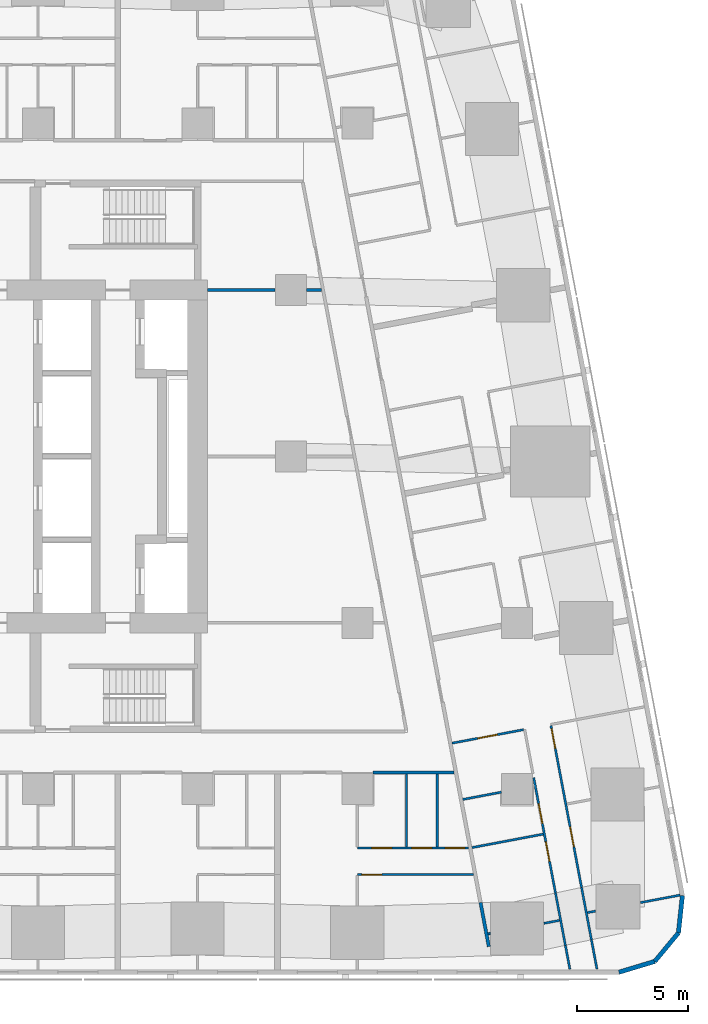
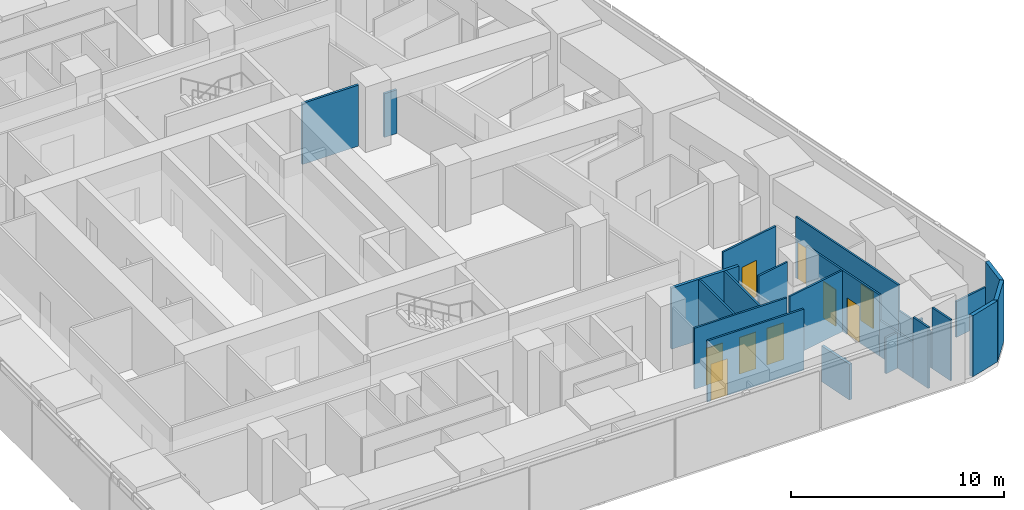
# One storey, part 13 of 19: 24 walls, 9 doors, 9 openings.
"""IFC4 building model written with IfcOpenShell, lengths in metres."""

from ifc_helpers import new_model, si_unit, direction, frame, frame_2d, origin, place, context, subcontext, project, spatial, rectangle, extrude, material, layer, layer_set, type_object, element, fill, save


model = new_model("IFC4")

# Units and contexts
model_context = context("Model", 3, precision=1e-05, world=origin(), true_north=direction((0.0, 1.0)))
body_context = subcontext(model_context, "Body", "Model", "MODEL_VIEW")
ifc_project = project(units=[si_unit("LENGTHUNIT", "METRE"), si_unit("AREAUNIT", "SQUARE_METRE"), si_unit("VOLUMEUNIT", "CUBIC_METRE"), si_unit("PLANEANGLEUNIT", "RADIAN"), si_unit("MASSUNIT", "GRAM", prefix="KILO")], contexts=[model_context])

# Site, building, storey
site_placement = place(None, origin())
site = spatial("IfcSite", under=ifc_project, at=site_placement, CompositionType="ELEMENT")
building_placement = place(site_placement, origin())
building = spatial("IfcBuilding", under=site, at=building_placement, Name="Sheger Commons Tower", CompositionType="ELEMENT")
storey_placement = place(building_placement, frame((0.0, 0.0, 216.199951171875)))
storey = spatial("IfcBuildingStorey", under=building, at=storey_placement, Name="L55", CompositionType="ELEMENT", Elevation=216.199951171875)

# Walls
ifc_material_1 = material(Name="Hollow concrete block masonry, skimmed both sides", Category="masonry")
ifc_layer_1 = layer(ifc_material_1, 0.14990234375)
ifc_layer_set_1 = layer_set([ifc_layer_1], Name="CORRIDOR WALL 150")
wall_type_1 = type_object("IfcWallType", Name="CORRIDOR WALL 150", PredefinedType="SOLIDWALL", material=ifc_layer_set_1)
wall_1_placement = place(storey_placement, frame((40.35498046875, 8.25, 0.0), z_axis=(0.0, 0.0, 1.0), x_axis=(-1.0, 0.0, 0.0)))
element("IfcWall", 1, at=wall_1_placement, inside=storey, type_object=wall_type_1, Name="Corridor wall L55", PredefinedType="SOLIDWALL", context=body_context, shape_type="SweptSolid", body=[
    extrude(rectangle(XDim=3.654052734375, YDim=0.14990234375, at=frame_2d((1.8271484375, 0.0))), origin(), (0.0, 0.0, 1.0), 3.5),
])
wall_2_placement = place(storey_placement, frame((41.552001953125, 2.39208984375, 0.0), z_axis=(0.0, 0.0, 1.0), x_axis=(0.185535500323, -0.982637561932, 0.0)))
element("IfcWall", 2, at=wall_2_placement, inside=storey, type_object=wall_type_1, Name="Corridor wall L55", PredefinedType="SOLIDWALL", context=body_context, shape_type="SweptSolid", body=[
    extrude(rectangle(XDim=2.021240234375, YDim=0.14990234375, at=frame_2d((1.0107421875, 0.0))), origin(), (0.0, 0.0, 1.0), 2.050048828125),
])
ifc_material_2 = material(Name="Rendered concrete block masonry, dark grey", Category="masonry")
ifc_layer_2 = layer(ifc_material_2, 0.199951171875)
ifc_layer_set_2 = layer_set([ifc_layer_2], Name="FACADE WALL 200")
wall_type_2 = type_object("IfcWallType", Name="FACADE WALL 200", PredefinedType="SOLIDWALL", material=ifc_layer_set_2)
wall_3_placement = place(storey_placement, frame((47.791015625, -0.75, 0.0), z_axis=(0.0, 0.0, 1.0), x_axis=(0.957455232626, 0.288581838509, 0.0)))
element("IfcWall", 3, at=wall_3_placement, inside=storey, type_object=wall_type_2, Name="Facade wall L55", PredefinedType="SOLIDWALL", context=body_context, shape_type="SweptSolid", body=[
    extrude(rectangle(XDim=1.687744140625, YDim=0.199951171875, at=frame_2d((0.84375, 0.0))), origin(), (0.0, 0.0, 1.0), 3.5),
])
wall_4_placement = place(storey_placement, frame((49.406982421875, -0.262939453125, 0.0), z_axis=(0.0, 0.0, 1.0), x_axis=(0.638042593423, 0.770001070764, 0.0)))
element("IfcWall", 4, at=wall_4_placement, inside=storey, type_object=wall_type_2, Name="Facade wall L55", PredefinedType="SOLIDWALL", context=body_context, shape_type="SweptSolid", body=[
    extrude(rectangle(XDim=1.672607421875, YDim=0.199951171875, at=frame_2d((0.83642578125, 0.0))), origin(), (0.0, 0.0, 1.0), 3.5),
])
wall_5_placement = place(storey_placement, frame((50.47412109375, 1.02490234375, 0.0), z_axis=(0.0, 0.0, 1.0), x_axis=(0.106047815515, 0.994361031429, 0.0)))
element("IfcWall", 5, at=wall_5_placement, inside=storey, type_object=wall_type_2, Name="Facade wall L55", PredefinedType="SOLIDWALL", context=body_context, shape_type="SweptSolid", body=[
    extrude(rectangle(XDim=1.6875, YDim=0.199951171875, at=frame_2d((0.84375, 0.0))), origin(), (0.0, 0.0, 1.0), 3.5),
])

# Wall, opening, door
ifc_material_3 = material(Name="Gypsum board on steel studs", Category="steel")
ifc_layer_3 = layer(ifc_material_3, 0.10009765625)
ifc_layer_set_3 = layer_set([ifc_layer_3], Name="PARTITION 100")
wall_type_3 = type_object("IfcWallType", Name="PARTITION 100", PredefinedType="PARTITIONING", material=ifc_layer_set_3)
wall_6_placement = place(storey_placement, frame((41.22900390625, 3.64990234375, 0.0), z_axis=(0.0, 0.0, 1.0), x_axis=(-1.0, 0.0, 0.0)))
wall_6 = element("IfcWall", 6, at=wall_6_placement, inside=storey, type_object=wall_type_3, Name="Partition L55", PredefinedType="PARTITIONING", context=body_context, shape_type="SweptSolid", body=[
    extrude(rectangle(XDim=5.22900390625, YDim=0.10009765625, at=frame_2d((2.614501953125, 0.0))), origin(), (0.0, 0.0, 1.0), 3.5),
])
opening_1_placement = place(wall_6_placement, frame((4.12890625, 0.0, 0.0)))
opening_1 = element("IfcOpeningElement", 7, at=opening_1_placement, cuts=wall_6, Name="Opening D2", PredefinedType="OPENING", context=body_context, shape_type="SweptSolid", body=[
    extrude(rectangle(XDim=0.89990234375, YDim=2.10009765625, at=frame_2d((0.449951171875, 1.050048828125))), frame((0.0, 0.06005859375, 0.0), z_axis=(0.0, -1.0, 0.0), x_axis=(1.0, 0.0, 0.0)), (0.0, 0.0, 1.0), 0.1201171875),
])
ifc_material_4 = material(Name="Timber door set", Category="wood")
door_type = type_object("IfcDoorType", Name="INTERNAL DOOR 900x2100", OperationType="NOTDEFINED", PredefinedType="DOOR", material=ifc_material_4)
door_1_placement = place(opening_1_placement, origin())
door_1 = element("IfcDoor", 8, at=door_1_placement, inside=storey, type_object=door_type, Name="Main bedroom door", OperationType="SINGLE_SWING_LEFT", OverallHeight=2.10009765625, OverallWidth=0.89990234375, PredefinedType="DOOR", context=body_context, shape_type="SweptSolid", body=[
    extrude(rectangle(XDim=0.89990234375, YDim=2.10009765625, at=frame_2d((0.449951171875, 1.050048828125))), frame((0.0, 0.02490234375, 0.0), z_axis=(0.0, -1.0, 0.0), x_axis=(1.0, 0.0, 0.0)), (0.0, 0.0, 1.0), 0.050048828125),
])
fill(opening_1, door_1)

# Wall, openings, doors
wall_7_placement = place(storey_placement, frame((41.001953125, 4.85009765625, 0.0), z_axis=(0.0, 0.0, 1.0), x_axis=(-1.0, 0.0, 0.0)))
wall_7 = element("IfcWall", 9, at=wall_7_placement, inside=storey, type_object=wall_type_3, Name="Partition L55", PredefinedType="PARTITIONING", context=body_context, shape_type="SweptSolid", body=[
    extrude(rectangle(XDim=5.001953125, YDim=0.10009765625, at=frame_2d((2.5009765625, 0.0))), origin(), (0.0, 0.0, 1.0), 3.5),
])
opening_2_placement = place(wall_7_placement, frame((3.447021484375, 0.0, 0.0)))
opening_2 = element("IfcOpeningElement", 10, at=opening_2_placement, cuts=wall_7, Name="Opening D2", PredefinedType="OPENING", context=body_context, shape_type="SweptSolid", body=[
    extrude(rectangle(XDim=0.89990234375, YDim=2.10009765625, at=frame_2d((0.449951171875, 1.050048828125))), frame((0.0, 0.06005859375, 0.0), z_axis=(0.0, -1.0, 0.0), x_axis=(1.0, 0.0, 0.0)), (0.0, 0.0, 1.0), 0.1201171875),
])
opening_3_placement = place(wall_7_placement, frame((0.14990234375, 0.0, 0.0)))
opening_3 = element("IfcOpeningElement", 11, at=opening_3_placement, cuts=wall_7, Name="Opening D2", PredefinedType="OPENING", context=body_context, shape_type="SweptSolid", body=[
    extrude(rectangle(XDim=0.89990234375, YDim=2.10009765625, at=frame_2d((0.449951171875, 1.050048828125))), frame((0.0, 0.06005859375, 0.0), z_axis=(0.0, -1.0, 0.0), x_axis=(1.0, 0.0, 0.0)), (0.0, 0.0, 1.0), 0.1201171875),
])
opening_4_placement = place(wall_7_placement, frame((1.64697265625, 0.0, 0.0)))
opening_4 = element("IfcOpeningElement", 12, at=opening_4_placement, cuts=wall_7, Name="Opening D2", PredefinedType="OPENING", context=body_context, shape_type="SweptSolid", body=[
    extrude(rectangle(XDim=0.89990234375, YDim=2.10009765625, at=frame_2d((0.449951171875, 1.050048828125))), frame((0.0, 0.06005859375, 0.0), z_axis=(0.0, -1.0, 0.0), x_axis=(1.0, 0.0, 0.0)), (0.0, 0.0, 1.0), 0.1201171875),
])
door_2_placement = place(opening_2_placement, origin())
door_2 = element("IfcDoor", 13, at=door_2_placement, inside=storey, type_object=door_type, Name="Bathroom door", OperationType="SINGLE_SWING_LEFT", OverallHeight=2.10009765625, OverallWidth=0.89990234375, PredefinedType="DOOR", context=body_context, shape_type="SweptSolid", body=[
    extrude(rectangle(XDim=0.89990234375, YDim=2.10009765625, at=frame_2d((0.449951171875, 1.050048828125))), frame((0.0, 0.02490234375, 0.0), z_axis=(0.0, -1.0, 0.0), x_axis=(1.0, 0.0, 0.0)), (0.0, 0.0, 1.0), 0.050048828125),
])
fill(opening_2, door_2)
door_3_placement = place(opening_3_placement, origin())
door_3 = element("IfcDoor", 14, at=door_3_placement, inside=storey, type_object=door_type, Name="Laundry room door", OperationType="SINGLE_SWING_RIGHT", OverallHeight=2.10009765625, OverallWidth=0.89990234375, PredefinedType="DOOR", context=body_context, shape_type="SweptSolid", body=[
    extrude(rectangle(XDim=0.89990234375, YDim=2.10009765625, at=frame_2d((0.449951171875, 1.050048828125))), frame((0.0, 0.02490234375, 0.0), z_axis=(0.0, -1.0, 0.0), x_axis=(1.0, 0.0, 0.0)), (0.0, 0.0, 1.0), 0.050048828125),
])
fill(opening_3, door_3)
door_4_placement = place(opening_4_placement, origin())
door_4 = element("IfcDoor", 15, at=door_4_placement, inside=storey, type_object=door_type, Name="Store door", OperationType="SINGLE_SWING_RIGHT", OverallHeight=2.10009765625, OverallWidth=0.89990234375, PredefinedType="DOOR", context=body_context, shape_type="SweptSolid", body=[
    extrude(rectangle(XDim=0.89990234375, YDim=2.10009765625, at=frame_2d((0.449951171875, 1.050048828125))), frame((0.0, 0.02490234375, 0.0), z_axis=(0.0, -1.0, 0.0), x_axis=(1.0, 0.0, 0.0)), (0.0, 0.0, 1.0), 0.050048828125),
])
fill(opening_4, door_4)

# Walls
for number, where, z_axis, x_axis, name in (
    (16, (39.60009765625, 4.89990234375, 0.0), (0.0, 0.0, 1.0), (0.0, 1.0, 0.0), "Partition L55"),
    (17, (38.2099609375, 4.89990234375, 0.0), (0.0, 0.0, 1.0), (0.0, 1.0, 0.0), "Partition L55"),
):
    element("IfcWall", number, at=place(storey_placement, frame(where, z_axis=z_axis, x_axis=x_axis)), inside=storey, type_object=wall_type_3, Name=name, PredefinedType="PARTITIONING", context=body_context, shape_type="SweptSolid", body=[
        extrude(rectangle(XDim=3.275146484375, YDim=0.10009765625, at=frame_2d((1.6376953125, 0.0))), origin(), (0.0, 0.0, 1.0), 3.5),
    ])

# Wall, openings, doors
wall_8_placement = place(storey_placement, frame((44.72705078125, 10.365966796875, 0.0), z_axis=(0.0, 0.0, 1.0), x_axis=(0.185678775129, -0.982610498858, 0.0)))
wall_8 = element("IfcWall", 18, at=wall_8_placement, inside=storey, type_object=wall_type_3, Name="Partition L55", PredefinedType="PARTITIONING", context=body_context, shape_type="SweptSolid", body=[
    extrude(rectangle(XDim=7.421142578125, YDim=0.10009765625, at=frame_2d((3.71044921875, 0.0))), origin(), (0.0, 0.0, 1.0), 3.5),
])
opening_5_placement = place(wall_8_placement, frame((0.15087890625, 0.0, 0.0)))
opening_5 = element("IfcOpeningElement", 19, at=opening_5_placement, cuts=wall_8, Name="Opening D2", PredefinedType="OPENING", context=body_context, shape_type="SweptSolid", body=[
    extrude(rectangle(XDim=0.89990234375, YDim=2.10009765625, at=frame_2d((0.449951171875, 1.050048828125))), frame((0.0, 0.06005859375, 0.0), z_axis=(0.0, -1.0, 0.0), x_axis=(1.0, 0.0, 0.0)), (0.0, 0.0, 1.0), 0.1201171875),
])
opening_6_placement = place(wall_8_placement, frame((4.64990234375, 0.0, 0.0)))
opening_6 = element("IfcOpeningElement", 20, at=opening_6_placement, cuts=wall_8, Name="Opening D2", PredefinedType="OPENING", context=body_context, shape_type="SweptSolid", body=[
    extrude(rectangle(XDim=0.89990234375, YDim=2.10009765625, at=frame_2d((0.449951171875, 1.050048828125))), frame((0.0, 0.06005859375, 0.0), z_axis=(0.0, -1.0, 0.0), x_axis=(1.0, 0.0, 0.0)), (0.0, 0.0, 1.0), 0.1201171875),
])
door_5_placement = place(opening_5_placement, origin())
door_5 = element("IfcDoor", 21, at=door_5_placement, inside=storey, type_object=door_type, Name="Main bedroom door", OperationType="SINGLE_SWING_LEFT", OverallHeight=2.10009765625, OverallWidth=0.89990234375, PredefinedType="DOOR", context=body_context, shape_type="SweptSolid", body=[
    extrude(rectangle(XDim=0.89990234375, YDim=2.10009765625, at=frame_2d((0.449951171875, 1.050048828125))), frame((0.0, 0.02490234375, 0.0), z_axis=(0.0, -1.0, 0.0), x_axis=(1.0, 0.0, 0.0)), (0.0, 0.0, 1.0), 0.050048828125),
])
fill(opening_5, door_5)
door_6_placement = place(opening_6_placement, origin())
door_6 = element("IfcDoor", 22, at=door_6_placement, inside=storey, type_object=door_type, Name="Bedroom 2 door", OperationType="SINGLE_SWING_LEFT", OverallHeight=2.10009765625, OverallWidth=0.89990234375, PredefinedType="DOOR", context=body_context, shape_type="SweptSolid", body=[
    extrude(rectangle(XDim=0.89990234375, YDim=2.10009765625, at=frame_2d((0.449951171875, 1.050048828125))), frame((0.0, 0.02490234375, 0.0), z_axis=(0.0, -1.0, 0.0), x_axis=(1.0, 0.0, 0.0)), (0.0, 0.0, 1.0), 0.050048828125),
])
fill(opening_6, door_6)

# Walls
wall_9_placement = place(storey_placement, frame((46.10498046875, 3.073974609375, 0.0), z_axis=(0.0, 0.0, 1.0), x_axis=(0.185631845838, -0.982619365681, 0.0)))
element("IfcWall", 23, at=wall_9_placement, inside=storey, type_object=wall_type_3, Name="Partition L55", PredefinedType="PARTITIONING", context=body_context, shape_type="SweptSolid", body=[
    extrude(rectangle(XDim=2.40283203125, YDim=0.10009765625, at=frame_2d((1.201416015625, 0.0))), origin(), (0.0, 0.0, 1.0), 2.050048828125),
])
wall_10_placement = place(storey_placement, frame((46.551025390625, 0.712890625, 0.0), z_axis=(0.0, 0.0, 1.0), x_axis=(0.185407859198, -0.982661653748, 0.0)))
element("IfcWall", 24, at=wall_10_placement, inside=storey, type_object=wall_type_3, Name="Partition L55", PredefinedType="PARTITIONING", context=body_context, shape_type="SweptSolid", body=[
    extrude(rectangle(XDim=1.343017578125, YDim=0.10009765625, at=frame_2d((0.67138671875, 0.0))), origin(), (0.0, 0.0, 1.0), 3.5),
])

# Wall, openings, doors
wall_11_placement = place(storey_placement, frame((43.948974609375, 8.02001953125, 0.0), z_axis=(0.0, 0.0, 1.0), x_axis=(0.185656792073, -0.982614652627, 0.0)))
wall_11 = element("IfcWall", 25, at=wall_11_placement, inside=storey, type_object=wall_type_3, Name="Partition L55", PredefinedType="PARTITIONING", context=body_context, shape_type="SweptSolid", body=[
    extrude(rectangle(XDim=5.2890625, YDim=0.10009765625, at=frame_2d((2.64453125, 0.0))), origin(), (0.0, 0.0, 1.0), 3.5),
])
opening_7_placement = place(wall_11_placement, frame((1.199951171875, 0.0, 0.0)))
opening_7 = element("IfcOpeningElement", 26, at=opening_7_placement, cuts=wall_11, Name="Opening D2", PredefinedType="OPENING", context=body_context, shape_type="SweptSolid", body=[
    extrude(rectangle(XDim=0.89990234375, YDim=2.10009765625, at=frame_2d((0.449951171875, 1.050048828125))), frame((0.0, 0.06005859375, 0.0), z_axis=(0.0, -1.0, 0.0), x_axis=(1.0, 0.0, 0.0)), (0.0, 0.0, 1.0), 0.1201171875),
])
opening_8_placement = place(wall_11_placement, frame((2.93505859375, 0.0, 0.0)))
opening_8 = element("IfcOpeningElement", 27, at=opening_8_placement, cuts=wall_11, Name="Opening D2", PredefinedType="OPENING", context=body_context, shape_type="SweptSolid", body=[
    extrude(rectangle(XDim=0.89990234375, YDim=2.10009765625, at=frame_2d((0.449951171875, 1.050048828125))), frame((0.0, 0.06005859375, 0.0), z_axis=(0.0, -1.0, 0.0), x_axis=(1.0, 0.0, 0.0)), (0.0, 0.0, 1.0), 0.1201171875),
])
door_7_placement = place(opening_7_placement, origin())
door_7 = element("IfcDoor", 28, at=door_7_placement, inside=storey, type_object=door_type, Name="Bathroom door", OperationType="SINGLE_SWING_LEFT", OverallHeight=2.10009765625, OverallWidth=0.89990234375, PredefinedType="DOOR", context=body_context, shape_type="SweptSolid", body=[
    extrude(rectangle(XDim=0.89990234375, YDim=2.10009765625, at=frame_2d((0.449951171875, 1.050048828125))), frame((0.0, 0.02490234375, 0.0), z_axis=(0.0, -1.0, 0.0), x_axis=(1.0, 0.0, 0.0)), (0.0, 0.0, 1.0), 0.050048828125),
])
fill(opening_7, door_7)
door_8_placement = place(opening_8_placement, origin())
door_8 = element("IfcDoor", 29, at=door_8_placement, inside=storey, type_object=door_type, Name="Store door", OperationType="SINGLE_SWING_RIGHT", OverallHeight=2.10009765625, OverallWidth=0.89990234375, PredefinedType="DOOR", context=body_context, shape_type="SweptSolid", body=[
    extrude(rectangle(XDim=0.89990234375, YDim=2.10009765625, at=frame_2d((0.449951171875, 1.050048828125))), frame((0.0, 0.02490234375, 0.0), z_axis=(0.0, -1.0, 0.0), x_axis=(1.0, 0.0, 0.0)), (0.0, 0.0, 1.0), 0.050048828125),
])
fill(opening_8, door_8)

# Walls
wall_12_placement = place(storey_placement, frame((44.930908203125, 2.822998046875, 0.0), z_axis=(0.0, 0.0, 1.0), x_axis=(0.185631845838, -0.982619365681, 0.0)))
element("IfcWall", 30, at=wall_12_placement, inside=storey, type_object=wall_type_3, Name="Partition L55", PredefinedType="PARTITIONING", context=body_context, shape_type="SweptSolid", body=[
    extrude(rectangle(XDim=2.40283203125, YDim=0.10009765625, at=frame_2d((1.201416015625, 0.0))), origin(), (0.0, 0.0, 1.0), 2.050048828125),
])
wall_13_placement = place(storey_placement, frame((45.376953125, 0.4619140625, 0.0), z_axis=(0.0, 0.0, 1.0), x_axis=(0.185513480919, -0.982641719243, 0.0)))
element("IfcWall", 31, at=wall_13_placement, inside=storey, type_object=wall_type_3, Name="Partition L55", PredefinedType="PARTITIONING", context=body_context, shape_type="SweptSolid", body=[
    extrude(rectangle(XDim=1.094970703125, YDim=0.10009765625, at=frame_2d((0.54736328125, 0.0))), origin(), (0.0, 0.0, 1.0), 3.5),
])
wall_14_placement = place(storey_placement, frame((50.547119140625, 2.72607421875, 0.0), z_axis=(0.0, 0.0, 1.0), x_axis=(-0.982603988143, -0.185713226471, 0.0)))
element("IfcWall", 32, at=wall_14_placement, inside=storey, type_object=wall_type_3, Name="Partition L55", PredefinedType="PARTITIONING", context=body_context, shape_type="SweptSolid", body=[
    extrude(rectangle(XDim=1.82080078125, YDim=0.10009765625, at=frame_2d((0.910400390625, 0.0))), origin(), (0.0, 0.0, 1.0), 2.050048828125),
])
wall_15_placement = place(storey_placement, frame((46.738037109375, 2.006103515625, 0.0), z_axis=(0.0, 0.0, 1.0), x_axis=(-0.982820466874, -0.184564161994, 0.0)))
element("IfcWall", 33, at=wall_15_placement, inside=storey, type_object=wall_type_3, Name="Partition L55", PredefinedType="PARTITIONING", context=body_context, shape_type="SweptSolid", body=[
    extrude(rectangle(XDim=0.374267578125, YDim=0.10009765625, at=frame_2d((0.18701171875, 0.0))), origin(), (0.0, 0.0, 1.0), 2.050048828125),
])

# Wall, opening, door
wall_16_placement = place(storey_placement, frame((43.489990234375, 10.18310546875, 0.0), z_axis=(0.0, 0.0, 1.0), x_axis=(-0.982607026909, -0.185697147715, 0.0)))
wall_16 = element("IfcWall", 34, at=wall_16_placement, inside=storey, type_object=wall_type_3, Name="Partition L55", PredefinedType="PARTITIONING", context=body_context, shape_type="SweptSolid", body=[
    extrude(rectangle(XDim=3.27490234375, YDim=0.10009765625, at=frame_2d((1.637451171875, 0.0))), origin(), (0.0, 0.0, 1.0), 3.5),
])
opening_9_placement = place(wall_16_placement, frame((1.199951171875, 0.0, 0.0)))
opening_9 = element("IfcOpeningElement", 35, at=opening_9_placement, cuts=wall_16, Name="Opening D2", PredefinedType="OPENING", context=body_context, shape_type="SweptSolid", body=[
    extrude(rectangle(XDim=0.89990234375, YDim=2.10009765625, at=frame_2d((0.449951171875, 1.050048828125))), frame((0.0, 0.06005859375, 0.0), z_axis=(0.0, -1.0, 0.0), x_axis=(1.0, 0.0, 0.0)), (0.0, 0.0, 1.0), 0.1201171875),
])
door_9_placement = place(opening_9_placement, origin())
door_9 = element("IfcDoor", 36, at=door_9_placement, inside=storey, type_object=door_type, Name="Store door", OperationType="SINGLE_SWING_LEFT", OverallHeight=2.10009765625, OverallWidth=0.89990234375, PredefinedType="DOOR", context=body_context, shape_type="SweptSolid", body=[
    extrude(rectangle(XDim=0.89990234375, YDim=2.10009765625, at=frame_2d((0.449951171875, 1.050048828125))), frame((0.0, 0.02490234375, 0.0), z_axis=(0.0, -1.0, 0.0), x_axis=(1.0, 0.0, 0.0)), (0.0, 0.0, 1.0), 0.050048828125),
])
fill(opening_9, door_9)

# Walls
wall_17_placement = place(storey_placement, frame((42.489990234375, 7.366943359375, 0.0), z_axis=(0.0, 0.0, 1.0), x_axis=(-0.982585223885, -0.185812480215, 0.0)))
element("IfcWall", 37, at=wall_17_placement, inside=storey, type_object=wall_type_3, Name="Partition L55", PredefinedType="PARTITIONING", context=body_context, shape_type="SweptSolid", body=[
    extrude(rectangle(XDim=1.769775390625, YDim=0.10009765625, at=frame_2d((0.884765625, 0.0))), origin(), (0.0, 0.0, 1.0), 3.5),
])
wall_18_placement = place(storey_placement, frame((45.114013671875, 1.5869140625, 0.0), z_axis=(0.0, 0.0, 1.0), x_axis=(-0.982671022916, -0.185358195723, 0.0)))
element("IfcWall", 38, at=wall_18_placement, inside=storey, type_object=wall_type_3, Name="Partition L55", PredefinedType="PARTITIONING", context=body_context, shape_type="SweptSolid", body=[
    extrude(rectangle(XDim=0.716552734375, YDim=0.10009765625, at=frame_2d((0.3583984375, 0.0))), origin(), (0.0, 0.0, 1.0), 2.050048828125),
])
wall_19_placement = place(storey_placement, frame((41.989990234375, 0.9970703125, 0.0), z_axis=(0.0, 0.0, 1.0), x_axis=(-0.982382747416, -0.186880008506, 0.0)))
element("IfcWall", 39, at=wall_19_placement, inside=storey, type_object=wall_type_3, Name="Partition L55", PredefinedType="PARTITIONING", context=body_context, shape_type="SweptSolid", body=[
    extrude(rectangle(XDim=0.0966796875, YDim=0.10009765625, at=frame_2d((0.04833984375, 0.0))), origin(), (0.0, 0.0, 1.0), 2.050048828125),
])
wall_20_placement = place(storey_placement, frame((44.37890625, 5.47412109375, 0.0), z_axis=(0.0, 0.0, 1.0), x_axis=(-0.982607026909, -0.185697147715, 0.0)))
element("IfcWall", 40, at=wall_20_placement, inside=storey, type_object=wall_type_3, Name="Partition L55", PredefinedType="PARTITIONING", context=body_context, shape_type="SweptSolid", body=[
    extrude(rectangle(XDim=3.27490234375, YDim=0.10009765625, at=frame_2d((1.637451171875, 0.0))), origin(), (0.0, 0.0, 1.0), 3.5),
])
ifc_material_5 = material(Name="Gypsum board on steel studs, two layers each side, fire rated", Category="steel")
ifc_layer_4 = layer(ifc_material_5, 0.125)
ifc_layer_set_4 = layer_set([ifc_layer_4], Name="SERVICE WALL 125")
wall_type_4 = type_object("IfcWallType", Name="SERVICE WALL 125", PredefinedType="PARTITIONING", material=ifc_layer_set_4)
wall_21_placement = place(storey_placement, frame((29.25, 30.0, 0.0), z_axis=(0.0, 0.0, 1.0), x_axis=(1.0, 0.0, 0.0)))
element("IfcWall", 41, at=wall_21_placement, inside=storey, type_object=wall_type_4, Name="Service room wall L55", PredefinedType="PARTITIONING", context=body_context, shape_type="SweptSolid", body=[
    extrude(rectangle(XDim=3.049072265625, YDim=0.125, at=frame_2d((1.5244140625, 0.0))), origin(), (0.0, 0.0, 1.0), 3.5),
])
wall_22_placement = place(storey_placement, frame((33.700927734375, 30.0, 0.0), z_axis=(0.0, 0.0, 1.0), x_axis=(1.0, 0.0, 0.0)))
element("IfcWall", 42, at=wall_22_placement, inside=storey, type_object=wall_type_4, Name="Service room wall L55", PredefinedType="PARTITIONING", context=body_context, shape_type="SweptSolid", body=[
    extrude(rectangle(XDim=0.677978515625, YDim=0.125, at=frame_2d((0.3388671875, 0.0))), origin(), (0.0, 0.0, 1.0), 2.5),
])

save(model, "model.ifc")
